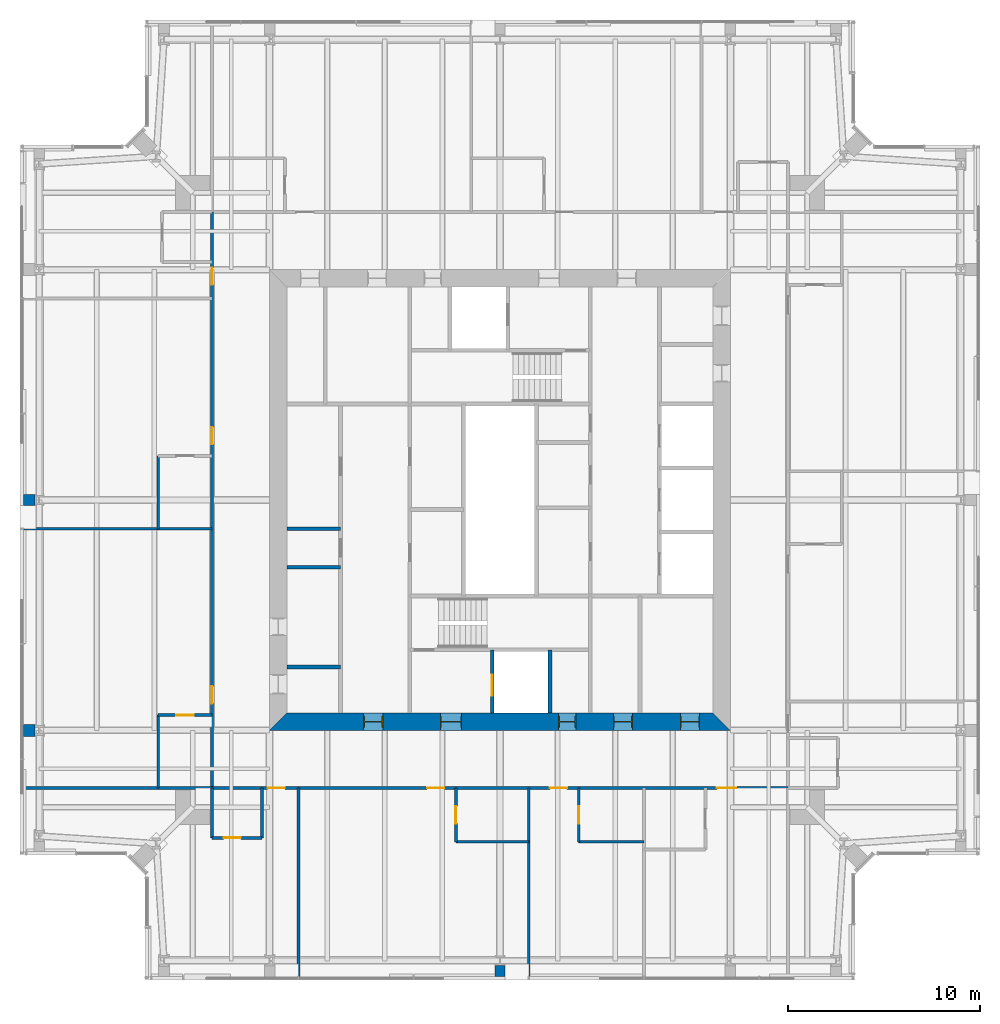
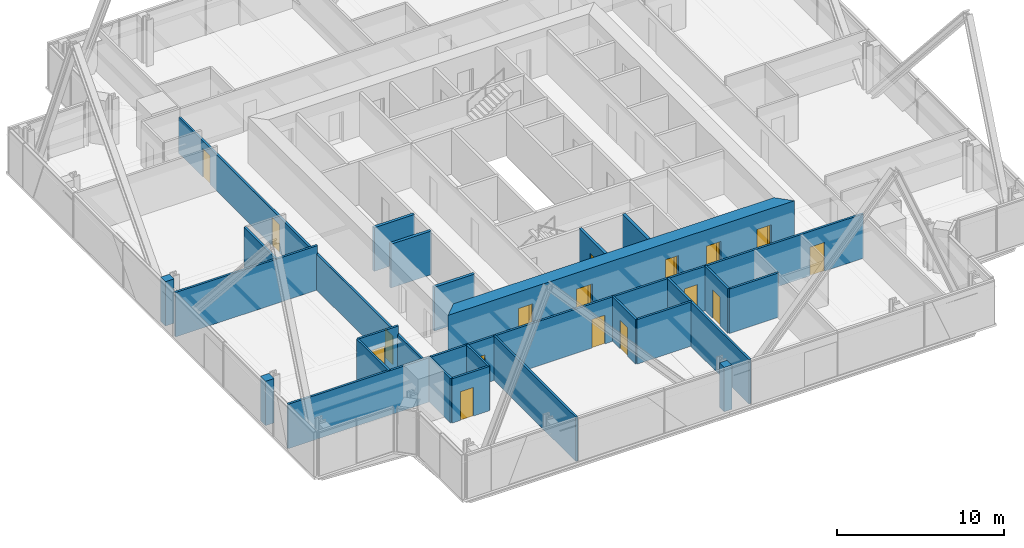
# One storey, part 11 of 19: 25 walls, 17 doors, 17 openings.
"""IFC4 building model written with IfcOpenShell, lengths in metres."""

from ifc_helpers import new_model, si_unit, direction, frame, frame_2d, origin, place, context, subcontext, project, spatial, polyline, rectangle, outline, extrude, material, layer, layer_set, type_object, element, fill, save


model = new_model("IFC4")

# Units and contexts
model_context = context("Model", 3, precision=1e-05, world=origin(), true_north=direction((0.0, 1.0)))
body_context = subcontext(model_context, "Body", "Model", "MODEL_VIEW")
ifc_project = project(units=[si_unit("LENGTHUNIT", "METRE"), si_unit("AREAUNIT", "SQUARE_METRE"), si_unit("VOLUMEUNIT", "CUBIC_METRE"), si_unit("PLANEANGLEUNIT", "RADIAN"), si_unit("MASSUNIT", "GRAM", prefix="KILO")], contexts=[model_context])

# Site, building, storey
site_placement = place(None, origin())
site = spatial("IfcSite", under=ifc_project, at=site_placement, CompositionType="ELEMENT")
building_placement = place(site_placement, origin())
building = spatial("IfcBuilding", under=site, at=building_placement, Name="Fenwick Lantern Interchange", CompositionType="ELEMENT")
storey_placement = place(building_placement, frame((0.0, 0.0, 283.199951171875)))
storey = spatial("IfcBuildingStorey", under=building, at=storey_placement, Name="L68", CompositionType="ELEMENT", Elevation=283.199951171875)

# Walls
ifc_material_1 = material(Name="Fire-rated gypsum board encasement on steel studs, 2 hour", Category="steel")
ifc_layer_1 = layer(ifc_material_1, 0.52392578125)
ifc_layer_set_1 = layer_set([ifc_layer_1], Name="COLUMN PIER 524")
wall_type_1 = type_object("IfcWallType", Name="COLUMN PIER 524", PredefinedType="PARTITIONING", material=ifc_layer_set_1)
wall_1_placement = place(storey_placement, frame((25.0, 0.18994140625, 0.0), z_axis=(0.0, 0.0, 1.0), x_axis=(0.0, 1.0, 0.0)))
element("IfcWall", 1, at=wall_1_placement, inside=storey, type_object=wall_type_1, Name="L68/W/PIER/CS3", PredefinedType="PARTITIONING", context=body_context, shape_type="SweptSolid", body=[
    extrude(rectangle(XDim=0.572509765625, YDim=0.52392578125, at=frame_2d((0.2861328125, 0.0))), origin(), (0.0, 0.0, 1.0), 3.25),
])
ifc_layer_2 = layer(ifc_material_1, 0.574951171875)
ifc_layer_set_2 = layer_set([ifc_layer_2], Name="COLUMN PIER 575")
wall_type_2 = type_object("IfcWallType", Name="COLUMN PIER 575", PredefinedType="PARTITIONING", material=ifc_layer_set_2)
wall_2_placement = place(storey_placement, frame((0.18994140625, 25.0, 0.0), z_axis=(0.0, 0.0, 1.0), x_axis=(1.0, 0.0, 0.0)))
element("IfcWall", 2, at=wall_2_placement, inside=storey, type_object=wall_type_2, Name="L68/W/PIER/CW3", PredefinedType="PARTITIONING", context=body_context, shape_type="SweptSolid", body=[
    extrude(rectangle(XDim=0.597900390625, YDim=0.574951171875, at=frame_2d((0.298828125, 0.0))), origin(), (0.0, 0.0, 1.0), 3.25),
])
ifc_layer_3 = layer(ifc_material_1, 0.631103515625)
ifc_layer_set_3 = layer_set([ifc_layer_3], Name="COLUMN PIER 631")
wall_type_3 = type_object("IfcWallType", Name="COLUMN PIER 631", PredefinedType="PARTITIONING", material=ifc_layer_set_3)
wall_3_placement = place(storey_placement, frame((0.18994140625, 13.0, 0.0), z_axis=(0.0, 0.0, 1.0), x_axis=(1.0, 0.0, 0.0)))
element("IfcWall", 3, at=wall_3_placement, inside=storey, type_object=wall_type_3, Name="L68/W/PIER/CW4", PredefinedType="PARTITIONING", context=body_context, shape_type="SweptSolid", body=[
    extrude(rectangle(XDim=0.589111328125, YDim=0.631103515625, at=frame_2d((0.29443359375, 0.0))), origin(), (0.0, 0.0, 1.0), 3.25),
])

# Wall, opening, door
ifc_material_2 = material(Name="Concrete masonry ASTM C90 Grade N", Category="masonry")
ifc_layer_4 = layer(ifc_material_2, 0.199951171875)
ifc_layer_set_4 = layer_set([ifc_layer_4], Name="Concrete masonry ASTM C90 Grade N")
wall_type_4 = type_object("IfcWallType", Name="CORE PARTITION 200", PredefinedType="PARTITIONING", material=ifc_layer_set_4)
wall_4_placement = place(storey_placement, frame((24.60009765625, 13.89990234375, 0.0), z_axis=(0.0, 0.0, 1.0), x_axis=(0.0, 1.0, 0.0)))
wall_4 = element("IfcWall", 4, at=wall_4_placement, inside=storey, type_object=wall_type_4, Name="L68/W/CORES/h1", PredefinedType="PARTITIONING", context=body_context, shape_type="SweptSolid", body=[
    extrude(rectangle(XDim=3.300048828125, YDim=0.199951171875, at=frame_2d((1.64990234375, 0.0))), origin(), (0.0, 0.0, 1.0), 3.199951171875),
])
opening_1_placement = place(wall_4_placement, frame((0.89990234375, 0.0, 0.0)))
opening_1 = element("IfcOpeningElement", 5, at=opening_1_placement, cuts=wall_4, Name="Opening LD-FL1", PredefinedType="OPENING", context=body_context, shape_type="SweptSolid", body=[
    extrude(rectangle(XDim=1.10009765625, YDim=2.199951171875, at=frame_2d((0.550048828125, 1.10009765625))), frame((0.0, 0.10986328125, 0.0), z_axis=(0.0, -1.0, 0.0), x_axis=(1.0, 0.0, 0.0)), (0.0, 0.0, 1.0), 0.219970703125),
])
ifc_material_3 = material(Name="Steel door and frame", Category="steel")
door_type_1 = type_object("IfcDoorType", Name="LIFT LANDING DOOR 1100 X 2200", OperationType="DOUBLE_DOOR_SLIDING", PredefinedType="DOOR", material=ifc_material_3)
door_1_placement = place(opening_1_placement, origin())
door_1 = element("IfcDoor", 6, at=door_1_placement, inside=storey, type_object=door_type_1, Name="Lift landing door FL1", OperationType="DOUBLE_DOOR_SLIDING", OverallHeight=2.199951171875, OverallWidth=1.10009765625, PredefinedType="DOOR", context=body_context, shape_type="SweptSolid", body=[
    extrude(rectangle(XDim=1.10009765625, YDim=2.199951171875, at=frame_2d((0.550048828125, 1.10009765625))), frame((0.0, 0.02490234375, 0.0), z_axis=(0.0, -1.0, 0.0), x_axis=(1.0, 0.0, 0.0)), (0.0, 0.0, 1.0), 0.050048828125),
])
fill(opening_1, door_1)

# Walls
wall_5_placement = place(storey_placement, frame((27.60009765625, 13.89990234375, 0.0), z_axis=(0.0, 0.0, 1.0), x_axis=(0.0, 1.0, 0.0)))
element("IfcWall", 7, at=wall_5_placement, inside=storey, type_object=wall_type_4, Name="L68/W/CORES/h2", PredefinedType="PARTITIONING", context=body_context, shape_type="SweptSolid", body=[
    extrude(rectangle(XDim=3.300048828125, YDim=0.199951171875, at=frame_2d((1.64990234375, 0.0))), origin(), (0.0, 0.0, 1.0), 3.199951171875),
])
for number, where, z_axis, x_axis, name in (
    (8, (13.89990234375, 16.300048828125, 0.0), (0.0, 0.0, 1.0), (1.0, 0.0, 0.0), "L68/W/CORES/p1"),
    (9, (13.89990234375, 21.5, 0.0), (0.0, 0.0, 1.0), (1.0, 0.0, 0.0), "L68/W/CORES/p2"),
    (10, (13.89990234375, 23.5, 0.0), (0.0, 0.0, 1.0), (1.0, 0.0, 0.0), "L68/W/CORES/p3"),
):
    element("IfcWall", number, at=place(storey_placement, frame(where, z_axis=z_axis, x_axis=x_axis)), inside=storey, type_object=wall_type_4, Name=name, PredefinedType="PARTITIONING", context=body_context, shape_type="SweptSolid", body=[
        extrude(rectangle(XDim=2.800048828125, YDim=0.199951171875, at=frame_2d((1.39990234375, 0.0))), origin(), (0.0, 0.0, 1.0), 3.199951171875),
    ])

# Wall, openings, doors
ifc_material_4 = material(Name="Concrete f'c 70 MPa", Category="concrete")
ifc_layer_5 = layer(ifc_material_4, 0.89990234375)
ifc_layer_set_5 = layer_set([ifc_layer_5], Name="CORE WALL 900")
wall_type_5 = type_object("IfcWallType", Name="CORE WALL 900", PredefinedType="SHEAR", material=ifc_layer_set_5)
wall_6_placement = place(storey_placement, frame((13.0, 13.449951171875, 0.0), z_axis=(0.0, 0.0, 1.0), x_axis=(1.0, 0.0, 0.0)))
wall_6 = element("IfcWall", 11, at=wall_6_placement, inside=storey, type_object=wall_type_5, Name="L68/CORE/S", PredefinedType="SHEAR", context=body_context, shape_type="SweptSolid", body=[
    extrude(outline(polyline([(0.0, -0.449951171875), (24.0, -0.449951171875), (23.10009765625, 0.449951171875), (0.89990234375, 0.449951171875), (0.0, -0.449951171875)])), origin(), (0.0, 0.0, 1.0), 3.400146484375),
])
opening_2_placement = place(wall_6_placement, frame((4.89990234375, 0.0, 0.0)))
opening_2 = element("IfcOpeningElement", 12, at=opening_2_placement, cuts=wall_6, Name="Opening L68-D001", PredefinedType="OPENING", context=body_context, shape_type="SweptSolid", body=[
    extrude(rectangle(XDim=1.0, YDim=2.199951171875, at=frame_2d((0.5, 1.10009765625))), frame((0.0, 0.4599609375, 0.0), z_axis=(0.0, -1.0, 0.0), x_axis=(1.0, 0.0, 0.0)), (0.0, 0.0, 1.0), 0.919921875),
])
opening_3_placement = place(wall_6_placement, frame((8.89990234375, 0.0, 0.0)))
opening_3 = element("IfcOpeningElement", 13, at=opening_3_placement, cuts=wall_6, Name="Opening L68-D002", PredefinedType="OPENING", context=body_context, shape_type="SweptSolid", body=[
    extrude(rectangle(XDim=1.10009765625, YDim=2.199951171875, at=frame_2d((0.550048828125, 1.10009765625))), frame((0.0, 0.4599609375, 0.0), z_axis=(0.0, -1.0, 0.0), x_axis=(1.0, 0.0, 0.0)), (0.0, 0.0, 1.0), 0.919921875),
])
opening_4_placement = place(wall_6_placement, frame((15.050048828125, 0.0, 0.0)))
opening_4 = element("IfcOpeningElement", 14, at=opening_4_placement, cuts=wall_6, Name="Opening L68-D004", PredefinedType="OPENING", context=body_context, shape_type="SweptSolid", body=[
    extrude(rectangle(XDim=0.89990234375, YDim=2.199951171875, at=frame_2d((0.449951171875, 1.10009765625))), frame((0.0, 0.4599609375, 0.0), z_axis=(0.0, -1.0, 0.0), x_axis=(1.0, 0.0, 0.0)), (0.0, 0.0, 1.0), 0.919921875),
])
opening_5_placement = place(wall_6_placement, frame((17.89990234375, 0.0, 0.0)))
opening_5 = element("IfcOpeningElement", 15, at=opening_5_placement, cuts=wall_6, Name="Opening L68-D005", PredefinedType="OPENING", context=body_context, shape_type="SweptSolid", body=[
    extrude(rectangle(XDim=1.0, YDim=2.199951171875, at=frame_2d((0.5, 1.10009765625))), frame((0.0, 0.4599609375, 0.0), z_axis=(0.0, -1.0, 0.0), x_axis=(1.0, 0.0, 0.0)), (0.0, 0.0, 1.0), 0.919921875),
])
opening_6_placement = place(wall_6_placement, frame((21.39990234375, 0.0, 0.0)))
opening_6 = element("IfcOpeningElement", 16, at=opening_6_placement, cuts=wall_6, Name="Opening L68-D006", PredefinedType="OPENING", context=body_context, shape_type="SweptSolid", body=[
    extrude(rectangle(XDim=1.0, YDim=2.199951171875, at=frame_2d((0.5, 1.10009765625))), frame((0.0, 0.4599609375, 0.0), z_axis=(0.0, -1.0, 0.0), x_axis=(1.0, 0.0, 0.0)), (0.0, 0.0, 1.0), 0.919921875),
])
door_type_2 = type_object("IfcDoorType", Name="CORE LOBBY DOOR 1000 X 2200", OperationType="SINGLE_SWING_LEFT", PredefinedType="DOOR", material=ifc_material_3)
door_2_placement = place(opening_2_placement, origin())
door_2 = element("IfcDoor", 17, at=door_2_placement, inside=storey, type_object=door_type_2, Name="Core lobby door", OperationType="SINGLE_SWING_LEFT", OverallHeight=2.199951171875, OverallWidth=1.0, PredefinedType="DOOR", context=body_context, shape_type="SweptSolid", body=[
    extrude(rectangle(XDim=1.0, YDim=2.199951171875, at=frame_2d((0.5, 1.10009765625))), frame((0.0, 0.02490234375, 0.0), z_axis=(0.0, -1.0, 0.0), x_axis=(1.0, 0.0, 0.0)), (0.0, 0.0, 1.0), 0.050048828125),
    extrude(outline(polyline([(0.0, 0.0), (0.0400390625, 0.0), (0.0400390625, 2.159912109375), (0.9599609375, 2.159912109375), (0.9599609375, 0.0), (1.0, 0.0), (1.0, 2.199951171875), (0.0, 2.199951171875), (0.0, 0.0)])), frame((0.0, 0.300048828125, 0.0), z_axis=(0.0, -1.0, 0.0), x_axis=(1.0, 0.0, 0.0)), (0.0, 0.0, 1.0), 0.60009765625),
])
fill(opening_2, door_2)
door_type_3 = type_object("IfcDoorType", Name="FIRE LOBBY DOOR 1100 X 2200", OperationType="SINGLE_SWING_LEFT", PredefinedType="DOOR", material=ifc_material_3)
door_3_placement = place(opening_3_placement, origin())
door_3 = element("IfcDoor", 18, at=door_3_placement, inside=storey, type_object=door_type_3, Name="Fire lobby door", OperationType="SINGLE_SWING_LEFT", OverallHeight=2.199951171875, OverallWidth=1.10009765625, PredefinedType="DOOR", context=body_context, shape_type="SweptSolid", body=[
    extrude(rectangle(XDim=1.10009765625, YDim=2.199951171875, at=frame_2d((0.550048828125, 1.10009765625))), frame((0.0, 0.02490234375, 0.0), z_axis=(0.0, -1.0, 0.0), x_axis=(1.0, 0.0, 0.0)), (0.0, 0.0, 1.0), 0.050048828125),
    extrude(outline(polyline([(0.0, 0.0), (0.0400390625, 0.0), (0.0400390625, 2.159912109375), (1.06005859375, 2.159912109375), (1.06005859375, 0.0), (1.10009765625, 0.0), (1.10009765625, 2.199951171875), (0.0, 2.199951171875), (0.0, 0.0)])), frame((0.0, 0.300048828125, 0.0), z_axis=(0.0, -1.0, 0.0), x_axis=(1.0, 0.0, 0.0)), (0.0, 0.0, 1.0), 0.60009765625),
])
fill(opening_3, door_3)
door_type_4 = type_object("IfcDoorType", Name="SERVICE DOOR 900 X 2200", OperationType="SINGLE_SWING_LEFT", PredefinedType="DOOR", material=ifc_material_3)
door_4_placement = place(opening_4_placement, origin())
door_4 = element("IfcDoor", 19, at=door_4_placement, inside=storey, type_object=door_type_4, Name="Service door", OperationType="SINGLE_SWING_LEFT", OverallHeight=2.199951171875, OverallWidth=0.89990234375, PredefinedType="DOOR", context=body_context, shape_type="SweptSolid", body=[
    extrude(rectangle(XDim=0.89990234375, YDim=2.199951171875, at=frame_2d((0.449951171875, 1.10009765625))), frame((0.0, 0.02490234375, 0.0), z_axis=(0.0, -1.0, 0.0), x_axis=(1.0, 0.0, 0.0)), (0.0, 0.0, 1.0), 0.050048828125),
    extrude(outline(polyline([(0.0, 0.0), (0.0400390625, 0.0), (0.0400390625, 2.159912109375), (0.85986328125, 2.159912109375), (0.85986328125, 0.0), (0.89990234375, 0.0), (0.89990234375, 2.199951171875), (0.0, 2.199951171875), (0.0, 0.0)])), frame((0.0, 0.300048828125, 0.0), z_axis=(0.0, -1.0, 0.0), x_axis=(1.0, 0.0, 0.0)), (0.0, 0.0, 1.0), 0.60009765625),
])
fill(opening_4, door_4)
ifc_material_5 = material(Name="Hardwood door and steel frame", Category="steel")
door_type_5 = type_object("IfcDoorType", Name="WC DOOR 1000 X 2200", OperationType="SINGLE_SWING_LEFT", PredefinedType="DOOR", material=ifc_material_5)
door_5_placement = place(opening_5_placement, origin())
door_5 = element("IfcDoor", 20, at=door_5_placement, inside=storey, type_object=door_type_5, Name="Wc door", OperationType="SINGLE_SWING_RIGHT", OverallHeight=2.199951171875, OverallWidth=1.0, PredefinedType="DOOR", context=body_context, shape_type="SweptSolid", body=[
    extrude(rectangle(XDim=1.0, YDim=2.199951171875, at=frame_2d((0.5, 1.10009765625))), frame((0.0, 0.02490234375, 0.0), z_axis=(0.0, -1.0, 0.0), x_axis=(1.0, 0.0, 0.0)), (0.0, 0.0, 1.0), 0.050048828125),
    extrude(outline(polyline([(0.0, 0.0), (0.0400390625, 0.0), (0.0400390625, 2.159912109375), (0.9599609375, 2.159912109375), (0.9599609375, 0.0), (1.0, 0.0), (1.0, 2.199951171875), (0.0, 2.199951171875), (0.0, 0.0)])), frame((0.0, 0.300048828125, 0.0), z_axis=(0.0, -1.0, 0.0), x_axis=(1.0, 0.0, 0.0)), (0.0, 0.0, 1.0), 0.60009765625),
])
fill(opening_5, door_5)
door_6_placement = place(opening_6_placement, origin())
door_6 = element("IfcDoor", 21, at=door_6_placement, inside=storey, type_object=door_type_5, Name="Wc door", OperationType="SINGLE_SWING_RIGHT", OverallHeight=2.199951171875, OverallWidth=1.0, PredefinedType="DOOR", context=body_context, shape_type="SweptSolid", body=[
    extrude(rectangle(XDim=1.0, YDim=2.199951171875, at=frame_2d((0.5, 1.10009765625))), frame((0.0, 0.02490234375, 0.0), z_axis=(0.0, -1.0, 0.0), x_axis=(1.0, 0.0, 0.0)), (0.0, 0.0, 1.0), 0.050048828125),
    extrude(outline(polyline([(0.0, 0.0), (0.0400390625, 0.0), (0.0400390625, 2.159912109375), (0.9599609375, 2.159912109375), (0.9599609375, 0.0), (1.0, 0.0), (1.0, 2.199951171875), (0.0, 2.199951171875), (0.0, 0.0)])), frame((0.0, 0.300048828125, 0.0), z_axis=(0.0, -1.0, 0.0), x_axis=(1.0, 0.0, 0.0)), (0.0, 0.0, 1.0), 0.60009765625),
])
fill(opening_6, door_6)

ifc_material_6 = material(Name="Gypsum board on steel studs, 1 hour", Category="steel")
ifc_layer_6 = layer(ifc_material_6, 0.14990234375)
ifc_layer_set_6 = layer_set([ifc_layer_6], Name="CORRIDOR WALL 150")
wall_type_6 = type_object("IfcWallType", Name="CORRIDOR WALL 150", PredefinedType="PARTITIONING", material=ifc_layer_set_6)
wall_7_placement = place(storey_placement, frame((10.0, 10.0, 0.0), z_axis=(0.0, 0.0, 1.0), x_axis=(1.0, 0.0, 0.0)))
wall_7 = element("IfcWall", 22, at=wall_7_placement, inside=storey, type_object=wall_type_6, Name="L68/W/HOTEL/S/CW", PredefinedType="PARTITIONING", context=body_context, shape_type="SweptSolid", body=[
    extrude(rectangle(XDim=30.0, YDim=0.14990234375, at=frame_2d((15.0, 0.0))), origin(), (0.0, 0.0, 1.0), 3.25),
])
opening_7_placement = place(wall_7_placement, frame((2.89990234375, 0.0, 0.0)))
opening_7 = element("IfcOpeningElement", 23, at=opening_7_placement, cuts=wall_7, Name="Opening L68-D024", PredefinedType="OPENING", context=body_context, shape_type="SweptSolid", body=[
    extrude(rectangle(XDim=0.89990234375, YDim=2.10009765625, at=frame_2d((0.449951171875, 1.050048828125))), frame((0.0, 0.0849609375, 0.0), z_axis=(0.0, -1.0, 0.0), x_axis=(1.0, 0.0, 0.0)), (0.0, 0.0, 1.0), 0.169921875),
])
opening_8_placement = place(wall_7_placement, frame((11.199951171875, 0.0, 0.0)))
opening_8 = element("IfcOpeningElement", 24, at=opening_8_placement, cuts=wall_7, Name="Opening L68-D027", PredefinedType="OPENING", context=body_context, shape_type="SweptSolid", body=[
    extrude(rectangle(XDim=0.89990234375, YDim=2.10009765625, at=frame_2d((0.449951171875, 1.050048828125))), frame((0.0, 0.0849609375, 0.0), z_axis=(0.0, -1.0, 0.0), x_axis=(1.0, 0.0, 0.0)), (0.0, 0.0, 1.0), 0.169921875),
])
opening_9_placement = place(wall_7_placement, frame((17.60009765625, 0.0, 0.0)))
opening_9 = element("IfcOpeningElement", 25, at=opening_9_placement, cuts=wall_7, Name="Opening L68-D029", PredefinedType="OPENING", context=body_context, shape_type="SweptSolid", body=[
    extrude(rectangle(XDim=0.89990234375, YDim=2.10009765625, at=frame_2d((0.449951171875, 1.050048828125))), frame((0.0, 0.0849609375, 0.0), z_axis=(0.0, -1.0, 0.0), x_axis=(1.0, 0.0, 0.0)), (0.0, 0.0, 1.0), 0.169921875),
])
opening_10_placement = place(wall_7_placement, frame((26.300048828125, 0.0, 0.0)))
opening_10 = element("IfcOpeningElement", 26, at=opening_10_placement, cuts=wall_7, Name="Opening L68-D031", PredefinedType="OPENING", context=body_context, shape_type="SweptSolid", body=[
    extrude(rectangle(XDim=1.0, YDim=2.10009765625, at=frame_2d((0.5, 1.050048828125))), frame((0.0, 0.0849609375, 0.0), z_axis=(0.0, -1.0, 0.0), x_axis=(1.0, 0.0, 0.0)), (0.0, 0.0, 1.0), 0.169921875),
])
door_type_6 = type_object("IfcDoorType", Name="GUEST ROOM DOOR 1000 X 2100", OperationType="SINGLE_SWING_LEFT", PredefinedType="DOOR", material=ifc_material_3)
door_7_placement = place(opening_10_placement, frame((1.0, 0.0, 0.0), z_axis=(0.0, 0.0, 1.0), x_axis=(-1.0, 0.0, 0.0)))
door_7 = element("IfcDoor", 27, at=door_7_placement, inside=storey, type_object=door_type_6, Name="Guest room door", OperationType="SINGLE_SWING_RIGHT", OverallHeight=2.10009765625, OverallWidth=1.0, PredefinedType="DOOR", context=body_context, shape_type="SweptSolid", body=[
    extrude(rectangle(XDim=1.0, YDim=2.10009765625, at=frame_2d((0.5, 1.050048828125))), frame((0.0, 0.02490234375, 0.0), z_axis=(0.0, -1.0, 0.0), x_axis=(1.0, 0.0, 0.0)), (0.0, 0.0, 1.0), 0.050048828125),
])
fill(opening_10, door_7)
door_type_7 = type_object("IfcDoorType", Name="GUEST ROOM DOOR 900 X 2100", OperationType="SINGLE_SWING_LEFT", PredefinedType="DOOR", material=ifc_material_3)
door_8_placement = place(opening_7_placement, frame((0.89990234375, 0.0, 0.0), z_axis=(0.0, 0.0, 1.0), x_axis=(-1.0, 0.0, 0.0)))
door_8 = element("IfcDoor", 28, at=door_8_placement, inside=storey, type_object=door_type_7, Name="Guest room door", OperationType="SINGLE_SWING_RIGHT", OverallHeight=2.10009765625, OverallWidth=0.89990234375, PredefinedType="DOOR", context=body_context, shape_type="SweptSolid", body=[
    extrude(rectangle(XDim=0.89990234375, YDim=2.10009765625, at=frame_2d((0.449951171875, 1.050048828125))), frame((0.0, 0.02490234375, 0.0), z_axis=(0.0, -1.0, 0.0), x_axis=(1.0, 0.0, 0.0)), (0.0, 0.0, 1.0), 0.050048828125),
])
fill(opening_7, door_8)
door_9_placement = place(opening_8_placement, frame((0.89990234375, 0.0, 0.0), z_axis=(0.0, 0.0, 1.0), x_axis=(-1.0, 0.0, 0.0)))
door_9 = element("IfcDoor", 29, at=door_9_placement, inside=storey, type_object=door_type_7, Name="Guest room door", OperationType="SINGLE_SWING_LEFT", OverallHeight=2.10009765625, OverallWidth=0.89990234375, PredefinedType="DOOR", context=body_context, shape_type="SweptSolid", body=[
    extrude(rectangle(XDim=0.89990234375, YDim=2.10009765625, at=frame_2d((0.449951171875, 1.050048828125))), frame((0.0, 0.02490234375, 0.0), z_axis=(0.0, -1.0, 0.0), x_axis=(1.0, 0.0, 0.0)), (0.0, 0.0, 1.0), 0.050048828125),
])
fill(opening_8, door_9)
door_10_placement = place(opening_9_placement, frame((0.89990234375, 0.0, 0.0), z_axis=(0.0, 0.0, 1.0), x_axis=(-1.0, 0.0, 0.0)))
door_10 = element("IfcDoor", 30, at=door_10_placement, inside=storey, type_object=door_type_7, Name="Guest room door", OperationType="SINGLE_SWING_LEFT", OverallHeight=2.10009765625, OverallWidth=0.89990234375, PredefinedType="DOOR", context=body_context, shape_type="SweptSolid", body=[
    extrude(rectangle(XDim=0.89990234375, YDim=2.10009765625, at=frame_2d((0.449951171875, 1.050048828125))), frame((0.0, 0.02490234375, 0.0), z_axis=(0.0, -1.0, 0.0), x_axis=(1.0, 0.0, 0.0)), (0.0, 0.0, 1.0), 0.050048828125),
])
fill(opening_9, door_10)

wall_8_placement = place(storey_placement, frame((10.0, 40.0, 0.0), z_axis=(0.0, 0.0, 1.0), x_axis=(0.0, -1.0, 0.0)))
wall_8 = element("IfcWall", 31, at=wall_8_placement, inside=storey, type_object=wall_type_6, Name="L68/W/HOTEL/W/CW", PredefinedType="PARTITIONING", context=body_context, shape_type="SweptSolid", body=[
    extrude(rectangle(XDim=30.0, YDim=0.14990234375, at=frame_2d((15.0, 0.0))), origin(), (0.0, 0.0, 1.0), 2.637939453125),
])
opening_11_placement = place(wall_8_placement, frame((2.89990234375, 0.0, 0.0)))
opening_11 = element("IfcOpeningElement", 32, at=opening_11_placement, cuts=wall_8, Name="Opening L68-D044", PredefinedType="OPENING", context=body_context, shape_type="SweptSolid", body=[
    extrude(rectangle(XDim=0.89990234375, YDim=2.10009765625, at=frame_2d((0.449951171875, 1.050048828125))), frame((0.0, 0.0849609375, 0.0), z_axis=(0.0, -1.0, 0.0), x_axis=(1.0, 0.0, 0.0)), (0.0, 0.0, 1.0), 0.169921875),
])
opening_12_placement = place(wall_8_placement, frame((11.199951171875, 0.0, 0.0)))
opening_12 = element("IfcOpeningElement", 33, at=opening_12_placement, cuts=wall_8, Name="Opening L68-D047", PredefinedType="OPENING", context=body_context, shape_type="SweptSolid", body=[
    extrude(rectangle(XDim=0.89990234375, YDim=2.10009765625, at=frame_2d((0.449951171875, 1.050048828125))), frame((0.0, 0.0849609375, 0.0), z_axis=(0.0, -1.0, 0.0), x_axis=(1.0, 0.0, 0.0)), (0.0, 0.0, 1.0), 0.169921875),
])
opening_13_placement = place(wall_8_placement, frame((24.699951171875, 0.0, 0.0)))
opening_13 = element("IfcOpeningElement", 34, at=opening_13_placement, cuts=wall_8, Name="Opening L68-D049", PredefinedType="OPENING", context=body_context, shape_type="SweptSolid", body=[
    extrude(rectangle(XDim=0.89990234375, YDim=2.10009765625, at=frame_2d((0.449951171875, 1.050048828125))), frame((0.0, 0.0849609375, 0.0), z_axis=(0.0, -1.0, 0.0), x_axis=(1.0, 0.0, 0.0)), (0.0, 0.0, 1.0), 0.169921875),
])
door_11_placement = place(opening_11_placement, frame((0.89990234375, 0.0, 0.0), z_axis=(0.0, 0.0, 1.0), x_axis=(-1.0, 0.0, 0.0)))
door_11 = element("IfcDoor", 35, at=door_11_placement, inside=storey, type_object=door_type_7, Name="Guest room door", OperationType="SINGLE_SWING_RIGHT", OverallHeight=2.10009765625, OverallWidth=0.89990234375, PredefinedType="DOOR", context=body_context, shape_type="SweptSolid", body=[
    extrude(rectangle(XDim=0.89990234375, YDim=2.10009765625, at=frame_2d((0.449951171875, 1.050048828125))), frame((0.0, 0.02490234375, 0.0), z_axis=(0.0, -1.0, 0.0), x_axis=(1.0, 0.0, 0.0)), (0.0, 0.0, 1.0), 0.050048828125),
])
fill(opening_11, door_11)
door_12_placement = place(opening_12_placement, frame((0.89990234375, 0.0, 0.0), z_axis=(0.0, 0.0, 1.0), x_axis=(-1.0, 0.0, 0.0)))
door_12 = element("IfcDoor", 36, at=door_12_placement, inside=storey, type_object=door_type_7, Name="Guest room door", OperationType="SINGLE_SWING_LEFT", OverallHeight=2.10009765625, OverallWidth=0.89990234375, PredefinedType="DOOR", context=body_context, shape_type="SweptSolid", body=[
    extrude(rectangle(XDim=0.89990234375, YDim=2.10009765625, at=frame_2d((0.449951171875, 1.050048828125))), frame((0.0, 0.02490234375, 0.0), z_axis=(0.0, -1.0, 0.0), x_axis=(1.0, 0.0, 0.0)), (0.0, 0.0, 1.0), 0.050048828125),
])
fill(opening_12, door_12)
door_13_placement = place(opening_13_placement, frame((0.89990234375, 0.0, 0.0), z_axis=(0.0, 0.0, 1.0), x_axis=(-1.0, 0.0, 0.0)))
door_13 = element("IfcDoor", 37, at=door_13_placement, inside=storey, type_object=door_type_7, Name="Guest room door", OperationType="SINGLE_SWING_LEFT", OverallHeight=2.10009765625, OverallWidth=0.89990234375, PredefinedType="DOOR", context=body_context, shape_type="SweptSolid", body=[
    extrude(rectangle(XDim=0.89990234375, YDim=2.10009765625, at=frame_2d((0.449951171875, 1.050048828125))), frame((0.0, 0.02490234375, 0.0), z_axis=(0.0, -1.0, 0.0), x_axis=(1.0, 0.0, 0.0)), (0.0, 0.0, 1.0), 0.050048828125),
])
fill(opening_13, door_13)

# Wall, opening, door
ifc_material_7 = material(Name="Gypsum board on steel studs, moisture resistant", Category="steel")
ifc_layer_7 = layer(ifc_material_7, 0.14990234375)
ifc_layer_set_7 = layer_set([ifc_layer_7], Name="EN-SUITE WALL 150")
wall_type_7 = type_object("IfcWallType", Name="EN-SUITE WALL 150", PredefinedType="PARTITIONING", material=ifc_layer_set_7)
wall_9_placement = place(storey_placement, frame((10.0, 7.39990234375, 0.0), z_axis=(0.0, 0.0, 1.0), x_axis=(1.0, 0.0, 0.0)))
wall_9 = element("IfcWall", 38, at=wall_9_placement, inside=storey, type_object=wall_type_7, Name="L68/W/HOTEL/S/U1BW", PredefinedType="PARTITIONING", context=body_context, shape_type="SweptSolid", body=[
    extrude(rectangle(XDim=2.60009765625, YDim=0.14990234375, at=frame_2d((1.300048828125, 0.0))), origin(), (0.0, 0.0, 1.0), 3.25),
])
opening_14_placement = place(wall_9_placement, frame((0.60009765625, 0.0, 0.0)))
opening_14 = element("IfcOpeningElement", 39, at=opening_14_placement, cuts=wall_9, Name="Opening L68-D025", PredefinedType="OPENING", context=body_context, shape_type="SweptSolid", body=[
    extrude(rectangle(XDim=0.89990234375, YDim=2.10009765625, at=frame_2d((0.449951171875, 1.050048828125))), frame((0.0, 0.0849609375, 0.0), z_axis=(0.0, -1.0, 0.0), x_axis=(1.0, 0.0, 0.0)), (0.0, 0.0, 1.0), 0.169921875),
])
door_type_8 = type_object("IfcDoorType", Name="EN-SUITE DOOR 900 X 2100", OperationType="SINGLE_SWING_LEFT", PredefinedType="DOOR", material=ifc_material_5)
door_14_placement = place(opening_14_placement, origin())
door_14 = element("IfcDoor", 40, at=door_14_placement, inside=storey, type_object=door_type_8, Name="En-suite door", OperationType="SINGLE_SWING_LEFT", OverallHeight=2.10009765625, OverallWidth=0.89990234375, PredefinedType="DOOR", context=body_context, shape_type="SweptSolid", body=[
    extrude(rectangle(XDim=0.89990234375, YDim=2.10009765625, at=frame_2d((0.449951171875, 1.050048828125))), frame((0.0, 0.02490234375, 0.0), z_axis=(0.0, -1.0, 0.0), x_axis=(1.0, 0.0, 0.0)), (0.0, 0.0, 1.0), 0.050048828125),
])
fill(opening_14, door_14)

# Walls
for number, where, z_axis, x_axis, name in (
    (41, (10.0, 7.39990234375, 0.0), (0.0, 0.0, 1.0), (0.0, 1.0, 0.0), "L68/W/HOTEL/S/U1BX"),
    (42, (12.60009765625, 7.39990234375, 0.0), (0.0, 0.0, 1.0), (0.0, 1.0, 0.0), "L68/W/HOTEL/S/U1BE"),
):
    element("IfcWall", number, at=place(storey_placement, frame(where, z_axis=z_axis, x_axis=x_axis)), inside=storey, type_object=wall_type_7, Name=name, PredefinedType="PARTITIONING", context=body_context, shape_type="SweptSolid", body=[
        extrude(rectangle(XDim=2.60009765625, YDim=0.14990234375, at=frame_2d((1.300048828125, 0.0))), origin(), (0.0, 0.0, 1.0), 3.25),
    ])
wall_10_placement = place(storey_placement, frame((22.699951171875, 7.199951171875, 0.0), z_axis=(0.0, 0.0, 1.0), x_axis=(1.0, 0.0, 0.0)))
element("IfcWall", 43, at=wall_10_placement, inside=storey, type_object=wall_type_7, Name="L68/W/HOTEL/S/U2BW", PredefinedType="PARTITIONING", context=body_context, shape_type="SweptSolid", body=[
    extrude(rectangle(XDim=3.800048828125, YDim=0.14990234375, at=frame_2d((1.89990234375, 0.0))), origin(), (0.0, 0.0, 1.0), 3.25),
])

# Wall, opening, door
wall_11_placement = place(storey_placement, frame((22.699951171875, 7.199951171875, 0.0), z_axis=(0.0, 0.0, 1.0), x_axis=(0.0, 1.0, 0.0)))
wall_11 = element("IfcWall", 44, at=wall_11_placement, inside=storey, type_object=wall_type_7, Name="L68/W/HOTEL/S/U2BX", PredefinedType="PARTITIONING", context=body_context, shape_type="SweptSolid", body=[
    extrude(rectangle(XDim=2.800048828125, YDim=0.14990234375, at=frame_2d((1.39990234375, 0.0))), origin(), (0.0, 0.0, 1.0), 3.25),
])
opening_15_placement = place(wall_11_placement, frame((0.949951171875, 0.0, 0.0)))
opening_15 = element("IfcOpeningElement", 45, at=opening_15_placement, cuts=wall_11, Name="Opening L68-D026", PredefinedType="OPENING", context=body_context, shape_type="SweptSolid", body=[
    extrude(rectangle(XDim=0.89990234375, YDim=2.10009765625, at=frame_2d((0.449951171875, 1.050048828125))), frame((0.0, 0.0849609375, 0.0), z_axis=(0.0, -1.0, 0.0), x_axis=(1.0, 0.0, 0.0)), (0.0, 0.0, 1.0), 0.169921875),
])
door_15_placement = place(opening_15_placement, frame((0.89990234375, 0.0, 0.0), z_axis=(0.0, 0.0, 1.0), x_axis=(-1.0, 0.0, 0.0)))
door_15 = element("IfcDoor", 46, at=door_15_placement, inside=storey, type_object=door_type_8, Name="En-suite door", OperationType="SINGLE_SWING_RIGHT", OverallHeight=2.10009765625, OverallWidth=0.89990234375, PredefinedType="DOOR", context=body_context, shape_type="SweptSolid", body=[
    extrude(rectangle(XDim=0.89990234375, YDim=2.10009765625, at=frame_2d((0.449951171875, 1.050048828125))), frame((0.0, 0.02490234375, 0.0), z_axis=(0.0, -1.0, 0.0), x_axis=(1.0, 0.0, 0.0)), (0.0, 0.0, 1.0), 0.050048828125),
])
fill(opening_15, door_15)

# Wall
wall_12_placement = place(storey_placement, frame((29.10009765625, 7.199951171875, 0.0), z_axis=(0.0, 0.0, 1.0), x_axis=(1.0, 0.0, 0.0)))
element("IfcWall", 47, at=wall_12_placement, inside=storey, type_object=wall_type_7, Name="L68/W/HOTEL/S/U3BW", PredefinedType="PARTITIONING", context=body_context, shape_type="SweptSolid", body=[
    extrude(rectangle(XDim=3.39990234375, YDim=0.14990234375, at=frame_2d((1.699951171875, 0.0))), origin(), (0.0, 0.0, 1.0), 3.25),
])

# Wall, opening, door
wall_13_placement = place(storey_placement, frame((29.10009765625, 7.199951171875, 0.0), z_axis=(0.0, 0.0, 1.0), x_axis=(0.0, 1.0, 0.0)))
wall_13 = element("IfcWall", 48, at=wall_13_placement, inside=storey, type_object=wall_type_7, Name="L68/W/HOTEL/S/U3BX", PredefinedType="PARTITIONING", context=body_context, shape_type="SweptSolid", body=[
    extrude(rectangle(XDim=2.800048828125, YDim=0.14990234375, at=frame_2d((1.39990234375, 0.0))), origin(), (0.0, 0.0, 1.0), 3.25),
])
opening_16_placement = place(wall_13_placement, frame((0.949951171875, 0.0, 0.0)))
opening_16 = element("IfcOpeningElement", 49, at=opening_16_placement, cuts=wall_13, Name="Opening L68-D028", PredefinedType="OPENING", context=body_context, shape_type="SweptSolid", body=[
    extrude(rectangle(XDim=0.89990234375, YDim=2.10009765625, at=frame_2d((0.449951171875, 1.050048828125))), frame((0.0, 0.0849609375, 0.0), z_axis=(0.0, -1.0, 0.0), x_axis=(1.0, 0.0, 0.0)), (0.0, 0.0, 1.0), 0.169921875),
])
door_16_placement = place(opening_16_placement, frame((0.89990234375, 0.0, 0.0), z_axis=(0.0, 0.0, 1.0), x_axis=(-1.0, 0.0, 0.0)))
door_16 = element("IfcDoor", 50, at=door_16_placement, inside=storey, type_object=door_type_8, Name="En-suite door", OperationType="SINGLE_SWING_RIGHT", OverallHeight=2.10009765625, OverallWidth=0.89990234375, PredefinedType="DOOR", context=body_context, shape_type="SweptSolid", body=[
    extrude(rectangle(XDim=0.89990234375, YDim=2.10009765625, at=frame_2d((0.449951171875, 1.050048828125))), frame((0.0, 0.02490234375, 0.0), z_axis=(0.0, -1.0, 0.0), x_axis=(1.0, 0.0, 0.0)), (0.0, 0.0, 1.0), 0.050048828125),
])
fill(opening_16, door_16)

# Walls
for number, where, z_axis, x_axis, name in (
    (51, (7.199951171875, 27.300048828125, 0.0), (0.0, 0.0, 1.0), (0.0, -1.0, 0.0), "L68/W/HOTEL/W/U2BW"),
    (52, (7.199951171875, 13.800048828125, 0.0), (0.0, 0.0, 1.0), (0.0, -1.0, 0.0), "L68/W/HOTEL/W/U3BW"),
):
    element("IfcWall", number, at=place(storey_placement, frame(where, z_axis=z_axis, x_axis=x_axis)), inside=storey, type_object=wall_type_7, Name=name, PredefinedType="PARTITIONING", context=body_context, shape_type="SweptSolid", body=[
        extrude(rectangle(XDim=3.800048828125, YDim=0.14990234375, at=frame_2d((1.89990234375, 0.0))), origin(), (0.0, 0.0, 1.0), 3.25),
    ])

# Wall, opening, door
wall_14_placement = place(storey_placement, frame((7.199951171875, 13.800048828125, 0.0), z_axis=(0.0, 0.0, 1.0), x_axis=(1.0, 0.0, 0.0)))
wall_14 = element("IfcWall", 53, at=wall_14_placement, inside=storey, type_object=wall_type_7, Name="L68/W/HOTEL/W/U3BX", PredefinedType="PARTITIONING", context=body_context, shape_type="SweptSolid", body=[
    extrude(rectangle(XDim=2.800048828125, YDim=0.14990234375, at=frame_2d((1.39990234375, 0.0))), origin(), (0.0, 0.0, 1.0), 3.25),
])
opening_17_placement = place(wall_14_placement, frame((0.949951171875, 0.0, 0.0)))
opening_17 = element("IfcOpeningElement", 54, at=opening_17_placement, cuts=wall_14, Name="Opening L68-D048", PredefinedType="OPENING", context=body_context, shape_type="SweptSolid", body=[
    extrude(rectangle(XDim=0.89990234375, YDim=2.10009765625, at=frame_2d((0.449951171875, 1.050048828125))), frame((0.0, 0.0849609375, 0.0), z_axis=(0.0, -1.0, 0.0), x_axis=(1.0, 0.0, 0.0)), (0.0, 0.0, 1.0), 0.169921875),
])
door_17_placement = place(opening_17_placement, frame((0.89990234375, 0.0, 0.0), z_axis=(0.0, 0.0, 1.0), x_axis=(-1.0, 0.0, 0.0)))
door_17 = element("IfcDoor", 55, at=door_17_placement, inside=storey, type_object=door_type_8, Name="En-suite door", OperationType="SINGLE_SWING_RIGHT", OverallHeight=2.10009765625, OverallWidth=0.89990234375, PredefinedType="DOOR", context=body_context, shape_type="SweptSolid", body=[
    extrude(rectangle(XDim=0.89990234375, YDim=2.10009765625, at=frame_2d((0.449951171875, 1.050048828125))), frame((0.0, 0.02490234375, 0.0), z_axis=(0.0, -1.0, 0.0), x_axis=(1.0, 0.0, 0.0)), (0.0, 0.0, 1.0), 0.050048828125),
])
fill(opening_17, door_17)

# Walls
ifc_material_8 = material(Name="Gypsum board on steel studs, 1 hour acoustic", Category="steel")
ifc_layer_8 = layer(ifc_material_8, 0.14990234375)
ifc_layer_set_8 = layer_set([ifc_layer_8], Name="PARTY WALL 150")
wall_type_8 = type_object("IfcWallType", Name="PARTY WALL 150", PredefinedType="PARTITIONING", material=ifc_layer_set_8)
for number, where, z_axis, x_axis, name in (
    (56, (0.14990234375, 10.0, 0.0), (0.0, 0.0, 1.0), (1.0, 0.0, 0.0), "L68/W/HOTEL/S/SW3"),
    (57, (14.5, 0.14990234375, 0.0), (0.0, 0.0, 1.0), (0.0, 1.0, 0.0), "L68/W/HOTEL/S/U2PW"),
    (58, (26.5, 0.14990234375, 0.0), (0.0, 0.0, 1.0), (0.0, 1.0, 0.0), "L68/W/HOTEL/S/U3PW"),
    (59, (0.14990234375, 23.5, 0.0), (0.0, 0.0, 1.0), (1.0, 0.0, 0.0), "L68/W/HOTEL/W/U3PW"),
):
    element("IfcWall", number, at=place(storey_placement, frame(where, z_axis=z_axis, x_axis=x_axis)), inside=storey, type_object=wall_type_8, Name=name, PredefinedType="PARTITIONING", context=body_context, shape_type="SweptSolid", body=[
        extrude(rectangle(XDim=9.85009765625, YDim=0.14990234375, at=frame_2d((4.925048828125, 0.0))), origin(), (0.0, 0.0, 1.0), 3.25),
    ])

save(model, "model.ifc")
